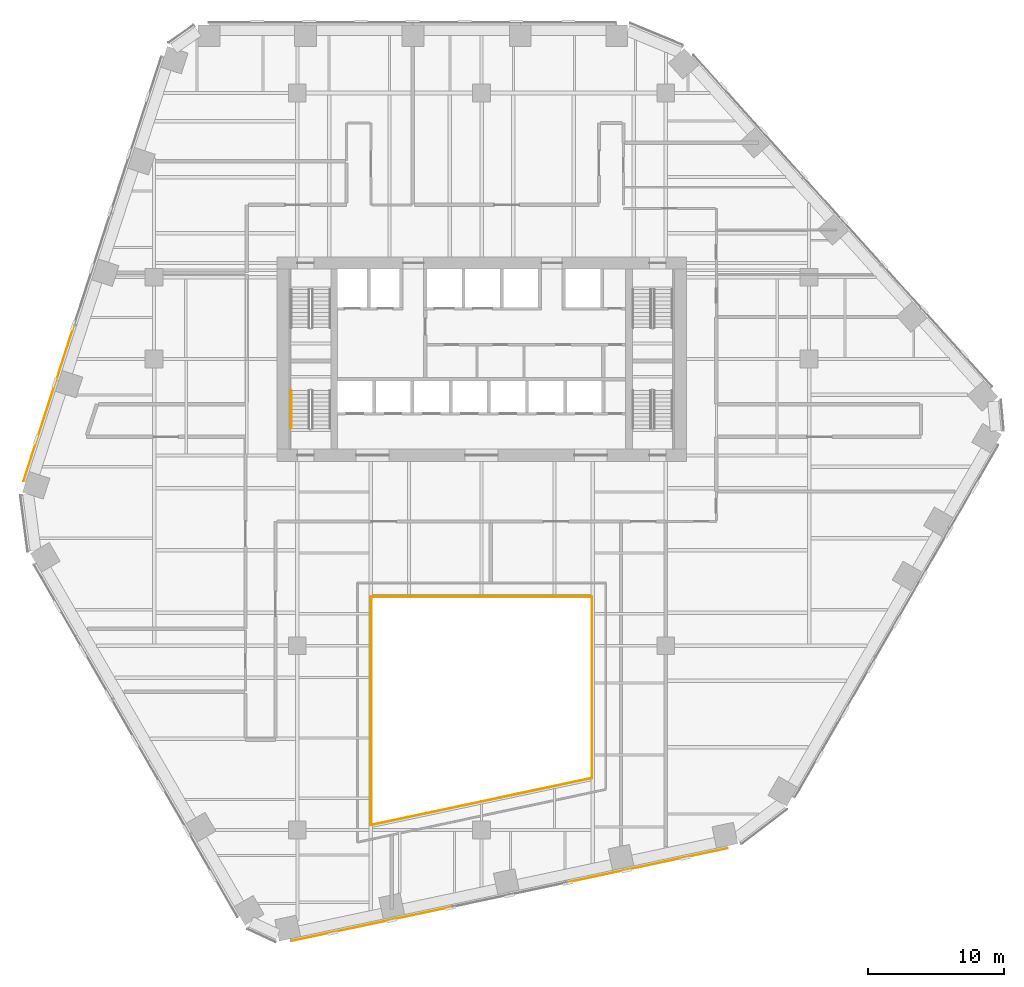
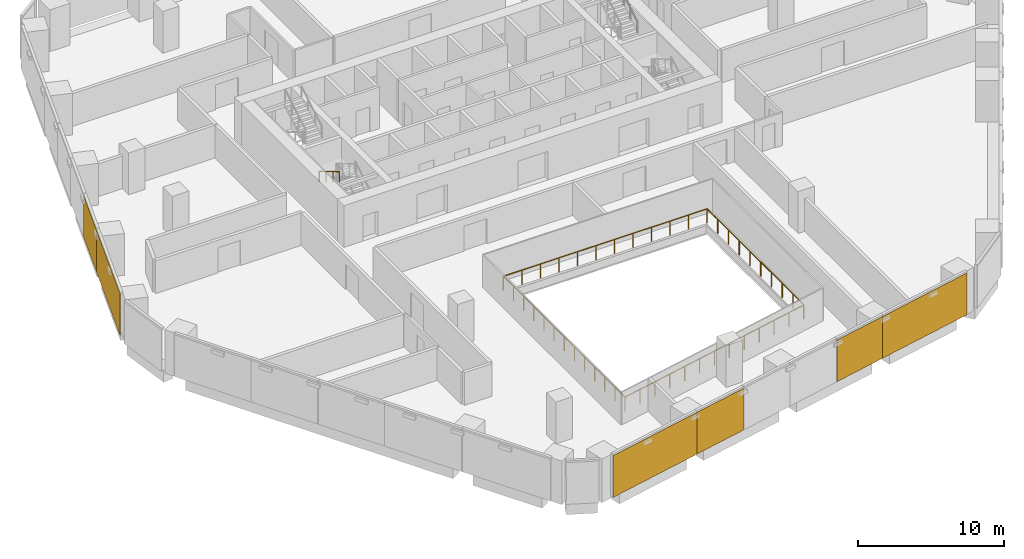
# One storey, part 18 of 21: 6 coverings, 5 railings, 2 elements without a shape of their own.
"""IFC4 building model written with IfcOpenShell, lengths in metres."""

from ifc_helpers import new_model, si_unit, direction, frame, origin, origin_2d, place, context, subcontext, project, spatial, rectangle, circle, extrude, material, layer, layer_set, type_object, element, aggregate, save


model = new_model("IFC4")

# Units and contexts
model_context = context("Model", 3, precision=1e-05, world=origin(), true_north=direction((0.0, 1.0)))
body_context = subcontext(model_context, "Body", "Model", "MODEL_VIEW")
ifc_project = project(units=[si_unit("LENGTHUNIT", "METRE"), si_unit("AREAUNIT", "SQUARE_METRE"), si_unit("VOLUMEUNIT", "CUBIC_METRE"), si_unit("PLANEANGLEUNIT", "RADIAN"), si_unit("MASSUNIT", "GRAM", prefix="KILO")], contexts=[model_context])

# Site, building, storey
site_placement = place(None, origin())
site = spatial("IfcSite", under=ifc_project, at=site_placement, CompositionType="ELEMENT")
building_placement = place(site_placement, origin())
building = spatial("IfcBuilding", under=site, at=building_placement, Name="Isthmus Gate Tower", CompositionType="ELEMENT")
storey_placement = place(building_placement, frame((0.0, 0.0, 109.85009765625)))
storey = spatial("IfcBuildingStorey", under=building, at=storey_placement, Name="L26", CompositionType="ELEMENT", Elevation=109.85009765625)

# Railings
ifc_material_1 = material(Name="Laminated toughened glass balustrade with steel rail", Category="steel")
railing_type_1 = type_object("IfcRailingType", Name="ATRIUM GUARD GLASS BALUSTRADE 1200", PredefinedType="GUARDRAIL", material=ifc_material_1)
railing_1_placement = place(storey_placement, frame((-8.080078125, -26.642822265625, 0.0)))
element("IfcRailing", 1, at=railing_1_placement, inside=storey, type_object=railing_type_1, Name="L26 atrium guard", PredefinedType="GUARDRAIL", context=body_context, shape_type="SweptSolid", body=[
    extrude(circle(Radius=0.02490234375, at=origin_2d()), frame((0.0, 0.0, 1.1748046875), z_axis=(0.0, 1.0, 0.0), x_axis=(-1.0, 0.0, 0.0)), (0.0, 0.0, 1.0), 16.722900390625),
    extrude(circle(Radius=0.02490234375, at=origin_2d()), origin(), (0.0, 0.0, 1.0), 1.14990234375),
    extrude(circle(Radius=0.02490234375, at=origin_2d()), frame((0.0, 1.3935546875, 0.0)), (0.0, 0.0, 1.0), 1.14990234375),
    extrude(circle(Radius=0.02490234375, at=origin_2d()), frame((0.0, 2.787109375, 0.0)), (0.0, 0.0, 1.0), 1.14990234375),
    extrude(circle(Radius=0.02490234375, at=origin_2d()), frame((0.0, 4.1806640625, 0.0)), (0.0, 0.0, 1.0), 1.14990234375),
    extrude(circle(Radius=0.02490234375, at=origin_2d()), frame((0.0, 5.57421875, 0.0)), (0.0, 0.0, 1.0), 1.14990234375),
    extrude(circle(Radius=0.02490234375, at=origin_2d()), frame((0.0, 6.9677734375, 0.0)), (0.0, 0.0, 1.0), 1.14990234375),
    extrude(circle(Radius=0.02490234375, at=origin_2d()), frame((0.0, 8.361328125, 0.0)), (0.0, 0.0, 1.0), 1.14990234375),
    extrude(circle(Radius=0.02490234375, at=origin_2d()), frame((0.0, 9.755126953125, 0.0)), (0.0, 0.0, 1.0), 1.14990234375),
    extrude(circle(Radius=0.02490234375, at=origin_2d()), frame((0.0, 11.148681640625, 0.0)), (0.0, 0.0, 1.0), 1.14990234375),
    extrude(circle(Radius=0.02490234375, at=origin_2d()), frame((0.0, 12.542236328125, 0.0)), (0.0, 0.0, 1.0), 1.14990234375),
    extrude(circle(Radius=0.02490234375, at=origin_2d()), frame((0.0, 13.935791015625, 0.0)), (0.0, 0.0, 1.0), 1.14990234375),
    extrude(circle(Radius=0.02490234375, at=origin_2d()), frame((0.0, 15.329345703125, 0.0)), (0.0, 0.0, 1.0), 1.14990234375),
    extrude(circle(Radius=0.02490234375, at=origin_2d()), frame((0.0, 16.722900390625, 0.0)), (0.0, 0.0, 1.0), 1.14990234375),
])
railing_2_placement = place(storey_placement, frame((-8.080078125, -9.919921875, 0.0)))
element("IfcRailing", 2, at=railing_2_placement, inside=storey, type_object=railing_type_1, Name="L26 atrium guard", PredefinedType="GUARDRAIL", context=body_context, shape_type="SweptSolid", body=[
    extrude(circle(Radius=0.02490234375, at=origin_2d()), frame((0.0, 0.0, 1.1748046875), z_axis=(1.0, 0.0, 0.0), x_axis=(0.0, 1.0, 0.0)), (0.0, 0.0, 1.0), 16.16015625),
    extrude(circle(Radius=0.02490234375, at=origin_2d()), origin(), (0.0, 0.0, 1.0), 1.14990234375),
    extrude(circle(Radius=0.02490234375, at=origin_2d()), frame((1.468994140625, 0.0, 0.0)), (0.0, 0.0, 1.0), 1.14990234375),
    extrude(circle(Radius=0.02490234375, at=origin_2d()), frame((2.938232421875, 0.0, 0.0)), (0.0, 0.0, 1.0), 1.14990234375),
    extrude(circle(Radius=0.02490234375, at=origin_2d()), frame((4.4072265625, 0.0, 0.0)), (0.0, 0.0, 1.0), 1.14990234375),
    extrude(circle(Radius=0.02490234375, at=origin_2d()), frame((5.87646484375, 0.0, 0.0)), (0.0, 0.0, 1.0), 1.14990234375),
    extrude(circle(Radius=0.02490234375, at=origin_2d()), frame((7.345458984375, 0.0, 0.0)), (0.0, 0.0, 1.0), 1.14990234375),
    extrude(circle(Radius=0.02490234375, at=origin_2d()), frame((8.814697265625, 0.0, 0.0)), (0.0, 0.0, 1.0), 1.14990234375),
    extrude(circle(Radius=0.02490234375, at=origin_2d()), frame((10.28369140625, 0.0, 0.0)), (0.0, 0.0, 1.0), 1.14990234375),
    extrude(circle(Radius=0.02490234375, at=origin_2d()), frame((11.7529296875, 0.0, 0.0)), (0.0, 0.0, 1.0), 1.14990234375),
    extrude(circle(Radius=0.02490234375, at=origin_2d()), frame((13.221923828125, 0.0, 0.0)), (0.0, 0.0, 1.0), 1.14990234375),
    extrude(circle(Radius=0.02490234375, at=origin_2d()), frame((14.691162109375, 0.0, 0.0)), (0.0, 0.0, 1.0), 1.14990234375),
    extrude(circle(Radius=0.02490234375, at=origin_2d()), frame((16.16015625, 0.0, 0.0)), (0.0, 0.0, 1.0), 1.14990234375),
])
railing_3_placement = place(storey_placement, frame((8.080078125, -9.919921875, 0.0)))
element("IfcRailing", 3, at=railing_3_placement, inside=storey, type_object=railing_type_1, Name="L26 atrium guard", PredefinedType="GUARDRAIL", context=body_context, shape_type="SweptSolid", body=[
    extrude(circle(Radius=0.02490234375, at=origin_2d()), frame((0.0, 0.0, 1.1748046875), z_axis=(0.0, -1.0, 0.0), x_axis=(1.0, 0.0, 0.0)), (0.0, 0.0, 1.0), 13.2880859375),
    extrude(circle(Radius=0.02490234375, at=origin_2d()), origin(), (0.0, 0.0, 1.0), 1.14990234375),
    extrude(circle(Radius=0.02490234375, at=origin_2d()), frame((0.0, -1.4765625, 0.0)), (0.0, 0.0, 1.0), 1.14990234375),
    extrude(circle(Radius=0.02490234375, at=origin_2d()), frame((0.0, -2.952880859375, 0.0)), (0.0, 0.0, 1.0), 1.14990234375),
    extrude(circle(Radius=0.02490234375, at=origin_2d()), frame((0.0, -4.429443359375, 0.0)), (0.0, 0.0, 1.0), 1.14990234375),
    extrude(circle(Radius=0.02490234375, at=origin_2d()), frame((0.0, -5.90576171875, 0.0)), (0.0, 0.0, 1.0), 1.14990234375),
    extrude(circle(Radius=0.02490234375, at=origin_2d()), frame((0.0, -7.38232421875, 0.0)), (0.0, 0.0, 1.0), 1.14990234375),
    extrude(circle(Radius=0.02490234375, at=origin_2d()), frame((0.0, -8.858642578125, 0.0)), (0.0, 0.0, 1.0), 1.14990234375),
    extrude(circle(Radius=0.02490234375, at=origin_2d()), frame((0.0, -10.335205078125, 0.0)), (0.0, 0.0, 1.0), 1.14990234375),
    extrude(circle(Radius=0.02490234375, at=origin_2d()), frame((0.0, -11.8115234375, 0.0)), (0.0, 0.0, 1.0), 1.14990234375),
    extrude(circle(Radius=0.02490234375, at=origin_2d()), frame((0.0, -13.2880859375, 0.0)), (0.0, 0.0, 1.0), 1.14990234375),
])
railing_4_placement = place(storey_placement, frame((8.080078125, -23.2080078125, 0.0)))
element("IfcRailing", 4, at=railing_4_placement, inside=storey, type_object=railing_type_1, Name="L26 atrium guard", PredefinedType="GUARDRAIL", context=body_context, shape_type="SweptSolid", body=[
    extrude(circle(Radius=0.02490234375, at=origin_2d()), frame((0.0, 0.0, 1.1748046875), z_axis=(-0.978149235358, -0.207904000366, 0.0), x_axis=(0.207904000366, -0.978149235358, 0.0)), (0.0, 0.0, 1.0), 16.521240234375),
    extrude(circle(Radius=0.02490234375, at=origin_2d()), origin(), (0.0, 0.0, 1.0), 1.14990234375),
    extrude(circle(Radius=0.02490234375, at=origin_2d()), frame((-1.3466796875, -0.2861328125, 0.0)), (0.0, 0.0, 1.0), 1.14990234375),
    extrude(circle(Radius=0.02490234375, at=origin_2d()), frame((-2.693359375, -0.572509765625, 0.0)), (0.0, 0.0, 1.0), 1.14990234375),
    extrude(circle(Radius=0.02490234375, at=origin_2d()), frame((-4.0400390625, -0.858642578125, 0.0)), (0.0, 0.0, 1.0), 1.14990234375),
    extrude(circle(Radius=0.02490234375, at=origin_2d()), frame((-5.38671875, -1.14501953125, 0.0)), (0.0, 0.0, 1.0), 1.14990234375),
    extrude(circle(Radius=0.02490234375, at=origin_2d()), frame((-6.7333984375, -1.43115234375, 0.0)), (0.0, 0.0, 1.0), 1.14990234375),
    extrude(circle(Radius=0.02490234375, at=origin_2d()), frame((-8.080078125, -1.71728515625, 0.0)), (0.0, 0.0, 1.0), 1.14990234375),
    extrude(circle(Radius=0.02490234375, at=origin_2d()), frame((-9.4267578125, -2.003662109375, 0.0)), (0.0, 0.0, 1.0), 1.14990234375),
    extrude(circle(Radius=0.02490234375, at=origin_2d()), frame((-10.7734375, -2.289794921875, 0.0)), (0.0, 0.0, 1.0), 1.14990234375),
    extrude(circle(Radius=0.02490234375, at=origin_2d()), frame((-12.1201171875, -2.576171875, 0.0)), (0.0, 0.0, 1.0), 1.14990234375),
    extrude(circle(Radius=0.02490234375, at=origin_2d()), frame((-13.466796875, -2.8623046875, 0.0)), (0.0, 0.0, 1.0), 1.14990234375),
    extrude(circle(Radius=0.02490234375, at=origin_2d()), frame((-14.8134765625, -3.148681640625, 0.0)), (0.0, 0.0, 1.0), 1.14990234375),
    extrude(circle(Radius=0.02490234375, at=origin_2d()), frame((-16.16015625, -3.434814453125, 0.0)), (0.0, 0.0, 1.0), 1.14990234375),
])

# Curtain wall, coverings
ifc_material_2 = material(Name="Aluminium, pale champagne anodised", Category="aluminium")
ifc_layer_1 = layer(ifc_material_2, 0.199951171875)
ifc_layer_set_1 = layer_set([ifc_layer_1], Name="CW-1 UNITISED CURTAIN WALL 200 DEEP")
curtain_wall_type = type_object("IfcCurtainWallType", Name="CW-1 UNITISED CURTAIN WALL 200 DEEP", PredefinedType="NOTDEFINED", material=ifc_layer_set_1)
curtain_wall_1_placement = place(storey_placement, origin())
curtain_wall_1 = element("IfcCurtainWall", 5, at=curtain_wall_1_placement, inside=storey, type_object=curtain_wall_type, Name="CW-1 NW L26", PredefinedType="NOTDEFINED")
ifc_material_3 = material(Name="Aluminium composite panel, pale champagne anodised", Category="aluminium")
ifc_layer_2 = layer(ifc_material_3, 0.0400390625)
ifc_layer_set_2 = layer_set([ifc_layer_2], Name="CW-1 PALE METAL PANEL 40")
covering_type = type_object("IfcCoveringType", Name="CW-1 PALE METAL PANEL 40", PredefinedType="CLADDING", material=ifc_layer_set_2)
covering_1_placement = place(storey_placement, frame((-30.5087890625, 7.9775390625, 0.0), z_axis=(0.0, 0.0, 1.0), x_axis=(-0.309016994375, -0.951056516295, 0.0)))
covering_1 = element("IfcCovering", 6, at=covering_1_placement, type_object=covering_type, Name="CW-1 pale metal panel", PredefinedType="CLADDING", context=body_context, shape_type="SweptSolid", body=[
    extrude(rectangle(XDim=4.234619140625, YDim=0.0400390625, at=origin_2d()), origin(), (0.0, 0.0, 1.0), 3.5),
])
covering_2_placement = place(storey_placement, frame((-32.36669921875, 2.259765625, 0.0), z_axis=(0.0, 0.0, 1.0), x_axis=(-0.309016994375, -0.951056516295, 0.0)))
covering_2 = element("IfcCovering", 7, at=covering_2_placement, type_object=covering_type, Name="CW-1 pale metal panel", PredefinedType="CLADDING", context=body_context, shape_type="SweptSolid", body=[
    extrude(rectangle(XDim=7.789306640625, YDim=0.0400390625, at=origin_2d()), origin(), (0.0, 0.0, 1.0), 3.5),
])
aggregate(curtain_wall_1, [covering_1, covering_2])

curtain_wall_2_placement = place(storey_placement, origin())
curtain_wall_2 = element("IfcCurtainWall", 8, at=curtain_wall_2_placement, inside=storey, type_object=curtain_wall_type, Name="CW-1 S L26", PredefinedType="NOTDEFINED")
covering_3_placement = place(storey_placement, frame((-10.166748046875, -34.344970703125, 0.0), z_axis=(0.0, 0.0, 1.0), x_axis=(0.978147600734, 0.207911690818, 0.0)))
covering_3 = element("IfcCovering", 9, at=covering_3_placement, type_object=covering_type, Name="CW-1 pale metal panel", PredefinedType="CLADDING", context=body_context, shape_type="SweptSolid", body=[
    extrude(rectangle(XDim=7.729248046875, YDim=0.0400390625, at=origin_2d()), origin(), (0.0, 0.0, 1.0), 3.5),
])
covering_4_placement = place(storey_placement, frame((-4.2861328125, -33.094970703125, 0.0), z_axis=(0.0, 0.0, 1.0), x_axis=(0.978147600734, 0.207911690818, 0.0)))
covering_4 = element("IfcCovering", 10, at=covering_4_placement, type_object=covering_type, Name="CW-1 pale metal panel", PredefinedType="CLADDING", context=body_context, shape_type="SweptSolid", body=[
    extrude(rectangle(XDim=4.294677734375, YDim=0.0400390625, at=origin_2d()), origin(), (0.0, 0.0, 1.0), 3.5),
])
covering_5_placement = place(storey_placement, frame((8.345703125, -30.41015625, 0.0), z_axis=(0.0, 0.0, 1.0), x_axis=(0.978147600734, 0.207911690818, 0.0)))
covering_5 = element("IfcCovering", 11, at=covering_5_placement, type_object=covering_type, Name="CW-1 pale metal panel", PredefinedType="CLADDING", context=body_context, shape_type="SweptSolid", body=[
    extrude(rectangle(XDim=4.234619140625, YDim=0.0400390625, at=origin_2d()), origin(), (0.0, 0.0, 1.0), 3.5),
])
covering_6_placement = place(storey_placement, frame((14.226318359375, -29.16015625, 0.0), z_axis=(0.0, 0.0, 1.0), x_axis=(0.978147600734, 0.207911690818, 0.0)))
covering_6 = element("IfcCovering", 12, at=covering_6_placement, type_object=covering_type, Name="CW-1 pale metal panel", PredefinedType="CLADDING", context=body_context, shape_type="SweptSolid", body=[
    extrude(rectangle(XDim=7.789306640625, YDim=0.0400390625, at=origin_2d()), origin(), (0.0, 0.0, 1.0), 3.5),
])
aggregate(curtain_wall_2, [covering_3, covering_4, covering_5, covering_6])

# Railing
ifc_material_4 = material(Name="Stainless steel handrail", Category="steel")
railing_type_2 = type_object("IfcRailingType", Name="STAIR HANDRAIL 900", PredefinedType="HANDRAIL", material=ifc_material_4)
railing_5_placement = place(storey_placement, frame((-13.949951171875, 5.199951171875, 1.99072265625)))
element("IfcRailing", 13, at=railing_5_placement, inside=storey, type_object=railing_type_2, Name="L26 ST7 stair handrail 2", PredefinedType="HANDRAIL", context=body_context, shape_type="SweptSolid", body=[
    extrude(circle(Radius=0.02392578125, at=origin_2d()), frame((0.0, 0.0, 0.8759765625), z_axis=(0.0, -0.860306154799, 0.50977771628), x_axis=(1.0, 0.0, 0.0)), (0.0, 0.0, 1.0), 3.254638671875),
    extrude(circle(Radius=0.02099609375, at=origin_2d()), origin(), (0.0, 0.0, 1.0), 0.851806640625),
    extrude(circle(Radius=0.02099609375, at=origin_2d()), frame((0.0, -0.933349609375, 0.552978515625)), (0.0, 0.0, 1.0), 0.851806640625),
    extrude(circle(Radius=0.02099609375, at=origin_2d()), frame((0.0, -1.86669921875, 1.106201171875)), (0.0, 0.0, 1.0), 0.851806640625),
    extrude(circle(Radius=0.02099609375, at=origin_2d()), frame((0.0, -2.800048828125, 1.6591796875)), (0.0, 0.0, 1.0), 0.851806640625),
])

save(model, "model.ifc")
